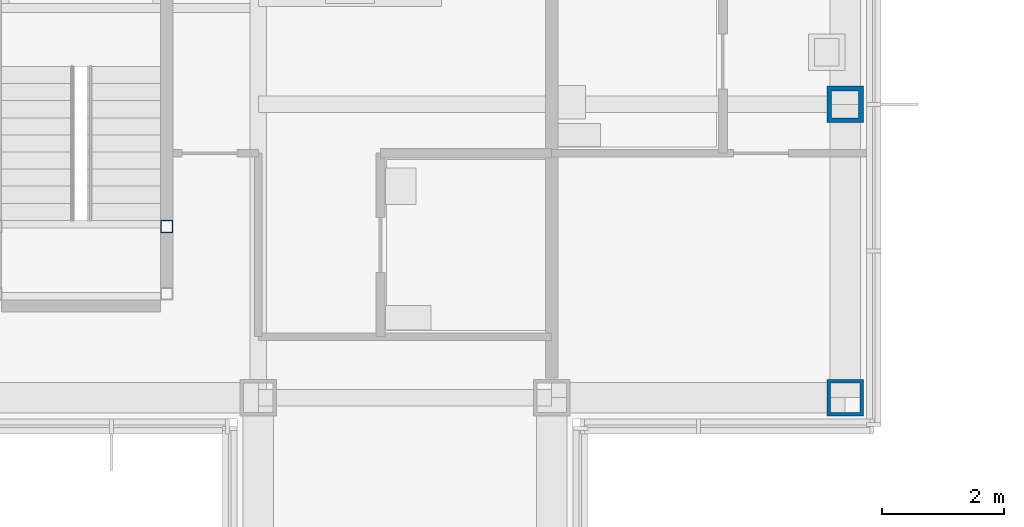
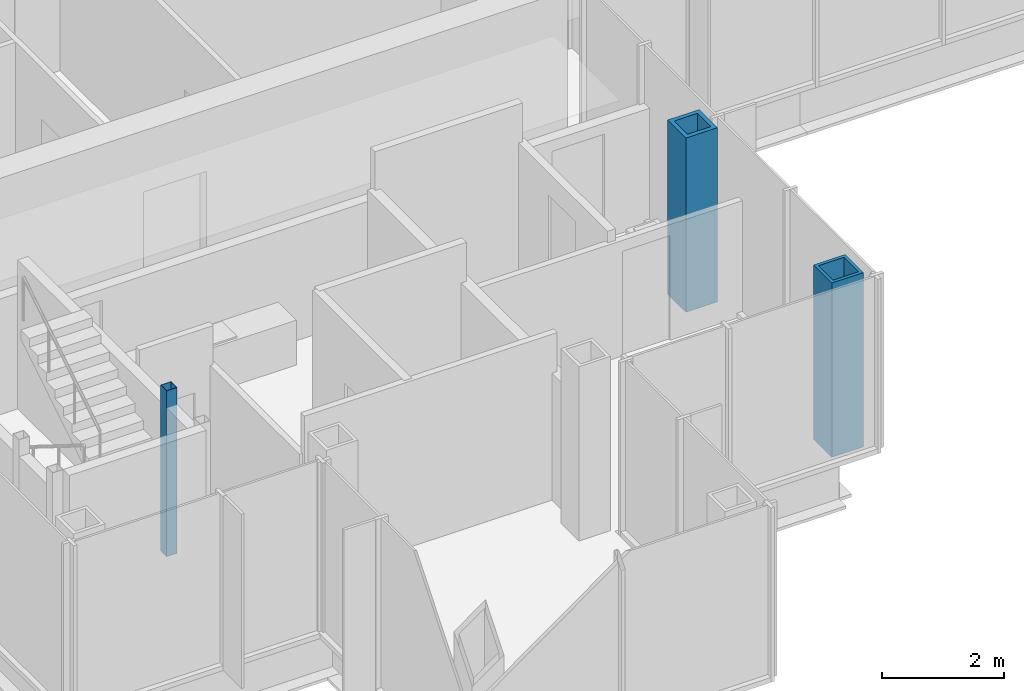
# One storey, part 2 of 17: 3 columns.
"""IFC4 building model written with IfcOpenShell, lengths in metres."""

from ifc_helpers import new_model, si_unit, direction, frame, origin, origin_2d, place, context, subcontext, project, spatial, hollow_rectangle, extrude, material, material_profile, profile_set, type_object, element, save


model = new_model("IFC4")

# Units and contexts
model_context = context("Model", 3, precision=1e-05, world=origin(), true_north=direction((0.0, 1.0)))
body_context = subcontext(model_context, "Body", "Model", "MODEL_VIEW")
ifc_project = project(units=[si_unit("LENGTHUNIT", "METRE"), si_unit("AREAUNIT", "SQUARE_METRE"), si_unit("VOLUMEUNIT", "CUBIC_METRE"), si_unit("PLANEANGLEUNIT", "RADIAN"), si_unit("MASSUNIT", "GRAM", prefix="KILO")], contexts=[model_context])

# Site, building, storey
site_placement = place(None, origin())
site = spatial("IfcSite", under=ifc_project, at=site_placement, CompositionType="ELEMENT")
building_placement = place(site_placement, origin())
building = spatial("IfcBuilding", under=site, at=building_placement, Name="Kvirike Care Tower", CompositionType="ELEMENT")
storey_placement = place(building_placement, frame((0.0, 0.0, 151.5)))
storey = spatial("IfcBuildingStorey", under=building, at=storey_placement, Name="L41", CompositionType="ELEMENT", Elevation=151.5)

# Columns
ifc_material_1 = material(Name="Steel S460", Category="steel")
ifc_material_profile_1 = material_profile(ifc_material_1, hollow_rectangle(XDim=0.60009765625, YDim=0.60009765625, WallThickness=0.06005859375, at=origin_2d()), Name="BX 600x600x60")
ifc_profile_set_1 = profile_set([ifc_material_profile_1], Name="Steel S460")
column_type_1 = type_object("IfcColumnType", Name="COLUMN BX 600x600x60", PredefinedType="COLUMN", material=ifc_profile_set_1)
column_1_placement = place(storey_placement, frame((28.800048828125, 19.199951171875, 0.0), z_axis=(0.0, 0.0, 1.0), x_axis=(0.0, 1.0, 0.0)))
element("IfcColumn", 1, at=column_1_placement, inside=storey, type_object=column_type_1, Name="Column E9 L41", PredefinedType="COLUMN", context=body_context, shape_type="SweptSolid", body=[
    extrude(hollow_rectangle(XDim=0.60009765625, YDim=0.60009765625, WallThickness=0.06005859375, at=origin_2d()), origin(), (0.0, 0.0, 1.0), 3.5),
])
ifc_material_2 = material(Name="Steel S460", Category="steel")
ifc_material_profile_2 = material_profile(ifc_material_2, hollow_rectangle(XDim=0.60009765625, YDim=0.60009765625, WallThickness=0.080078125, at=origin_2d()), Name="BX 600x600x80")
ifc_profile_set_2 = profile_set([ifc_material_profile_2], Name="Steel S460")
column_type_2 = type_object("IfcColumnType", Name="COLUMN BX 600x600x80", PredefinedType="COLUMN", material=ifc_profile_set_2)
column_2_placement = place(storey_placement, frame((28.800048828125, 24.0, 0.0), z_axis=(0.0, 0.0, 1.0), x_axis=(1.0, 0.0, 0.0)))
element("IfcColumn", 2, at=column_2_placement, inside=storey, type_object=column_type_2, Name="Column F9 L41", PredefinedType="COLUMN", context=body_context, shape_type="SweptSolid", body=[
    extrude(hollow_rectangle(XDim=0.60009765625, YDim=0.60009765625, WallThickness=0.080078125, at=origin_2d()), origin(), (0.0, 0.0, 1.0), 3.5),
])
ifc_material_3 = material(Name="Steel S460", Category="steel")
ifc_material_profile_3 = material_profile(ifc_material_3, hollow_rectangle(XDim=0.199951171875, YDim=0.199951171875, WallThickness=0.008056640625, at=origin_2d()), Name="SHS 200x200x8")
ifc_profile_set_3 = profile_set([ifc_material_profile_3], Name="Steel S460")
column_type_3 = type_object("IfcColumnType", Name="STAIR POST SHS 200x200x8", PredefinedType="COLUMN", material=ifc_profile_set_3)
column_3_placement = place(storey_placement, frame((17.699951171875, 22.0, 0.0), z_axis=(0.0, 0.0, 1.0), x_axis=(1.0, 0.0, 0.0)))
element("IfcColumn", 3, at=column_3_placement, inside=storey, type_object=column_type_3, Name="Stair 5 post 4 L41", PredefinedType="COLUMN", context=body_context, shape_type="SweptSolid", body=[
    extrude(hollow_rectangle(XDim=0.199951171875, YDim=0.199951171875, WallThickness=0.008056640625, at=origin_2d()), origin(), (0.0, 0.0, 1.0), 3.330078125),
])

save(model, "model.ifc")
